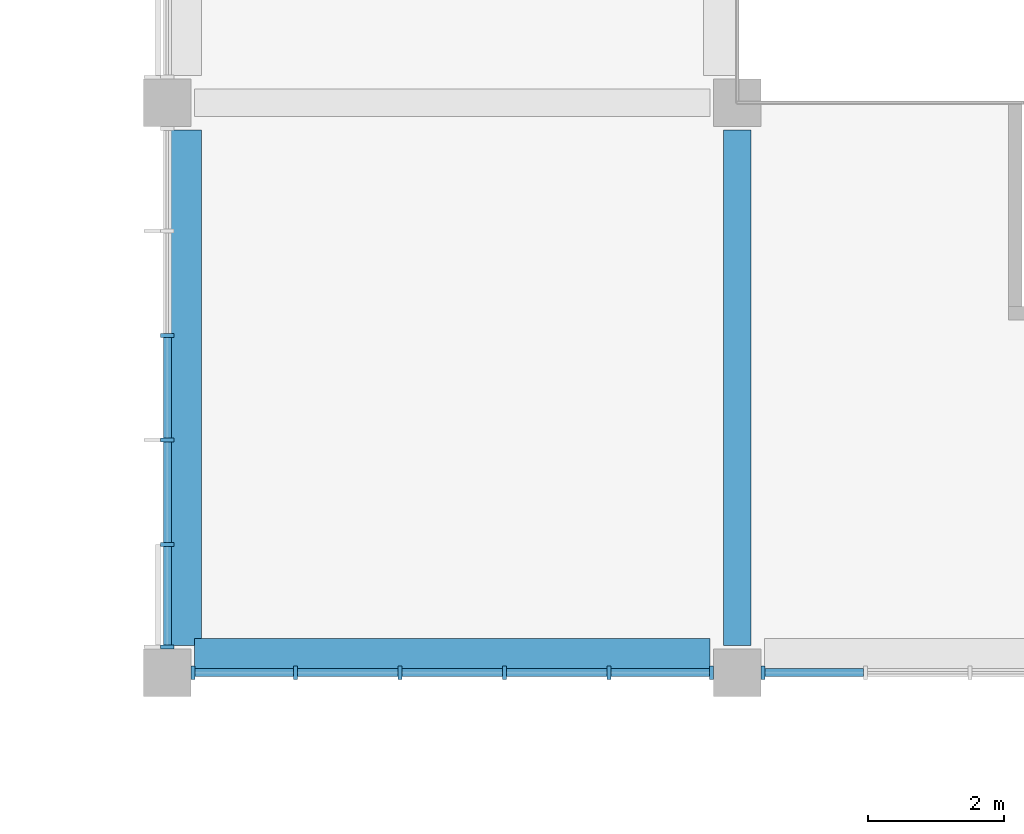
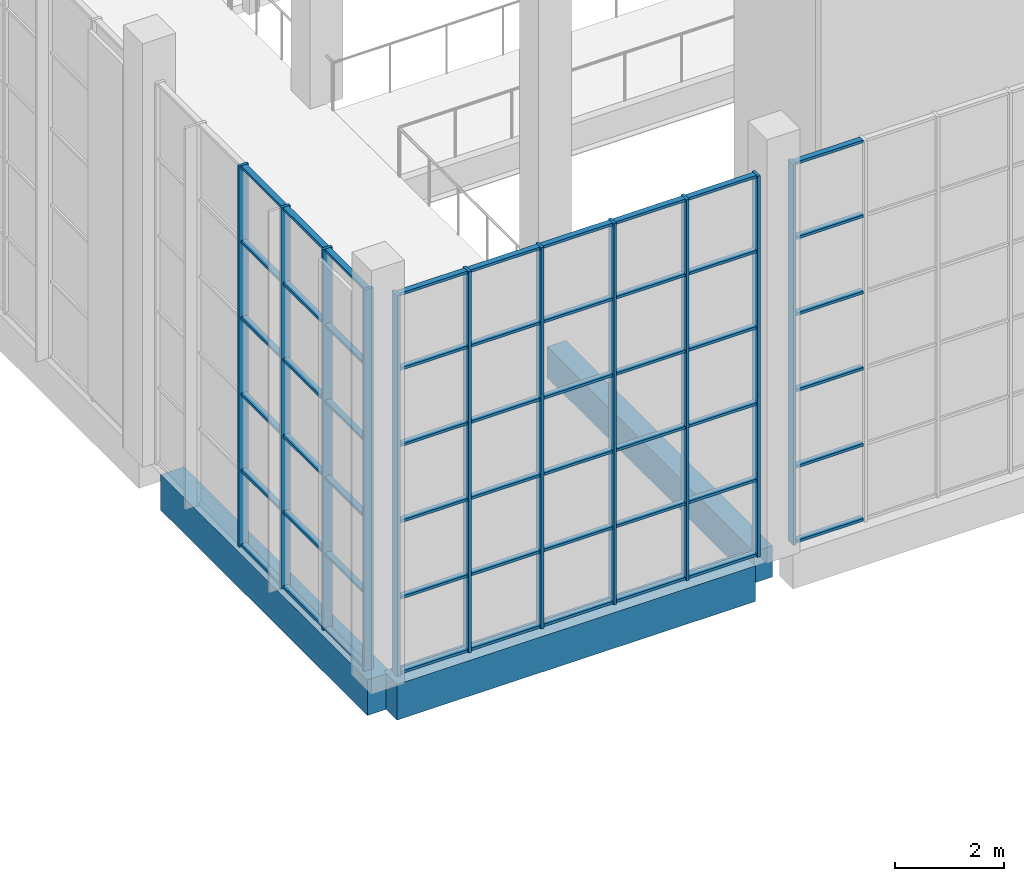
# One storey, part 19 of 114: 65 members, 3 beams, 3 elements without a shape of their own.
"""IFC4 building model written with IfcOpenShell, lengths in metres."""

from ifc_helpers import new_model, si_unit, direction, frame, origin, origin_2d, place, context, subcontext, project, spatial, rectangle, extrude, material, material_profile, profile_set, type_object, element, aggregate, save


model = new_model("IFC4")

# Units and contexts
model_context = context("Model", 3, precision=1e-05, world=origin(), true_north=direction((0.0, 1.0)))
body_context = subcontext(model_context, "Body", "Model", "MODEL_VIEW")
ifc_project = project(units=[si_unit("LENGTHUNIT", "METRE"), si_unit("AREAUNIT", "SQUARE_METRE"), si_unit("VOLUMEUNIT", "CUBIC_METRE"), si_unit("PLANEANGLEUNIT", "RADIAN"), si_unit("MASSUNIT", "GRAM", prefix="KILO")], contexts=[model_context])

# Site, building, storey
site_placement = place(None, origin())
site = spatial("IfcSite", under=ifc_project, at=site_placement, CompositionType="ELEMENT")
building_placement = place(site_placement, origin())
building = spatial("IfcBuilding", under=site, at=building_placement, Name="Almond Square Museum", CompositionType="ELEMENT")
storey_placement = place(building_placement, frame((0.0, 0.0, 10.5)))
storey = spatial("IfcBuildingStorey", under=building, at=storey_placement, Name="L02", CompositionType="ELEMENT", Elevation=10.5)

# Curtain wall, members
ifc_material_1 = material(Name="Aluminium and laminated glass", Category="aluminium")
curtain_wall_type = type_object("IfcCurtainWallType", Name="Unitised curtain wall 1500 module", PredefinedType="NOTDEFINED", material=ifc_material_1)
curtain_wall_1_placement = place(storey_placement, origin())
curtain_wall_1 = element("IfcCurtainWall", 1, at=curtain_wall_1_placement, inside=storey, type_object=curtain_wall_type, Name="Curtain wall CW-27", PredefinedType="NOTDEFINED")
ifc_material_2 = material(Name="Anodised aluminium", Category="aluminium")
ifc_material_profile_1 = material_profile(ifc_material_2, rectangle(XDim=0.199951171875, YDim=0.06005859375, at=origin_2d()))
ifc_profile_set_1 = profile_set([ifc_material_profile_1], Name="Anodised aluminium")
member_type_1 = type_object("IfcMemberType", Name="Aluminium mullion 60 x 200", PredefinedType="MULLION", material=ifc_profile_set_1)
member_1_placement = place(storey_placement, frame((73.199951171875, 67.580078125, 0.0), z_axis=(0.0, 0.0, 1.0), x_axis=(-1.0, 0.0, 0.0)))
member_1 = element("IfcMember", 2, at=member_1_placement, type_object=member_type_1, Name="CW-27 mullion 1", PredefinedType="MULLION", context=body_context, shape_type="SweptSolid", body=[
    extrude(rectangle(XDim=0.199951171875, YDim=0.06005859375, at=origin_2d()), origin(), (0.0, 0.0, 1.0), 8.550048828125),
])
member_2_placement = place(storey_placement, frame((73.199951171875, 69.090087890625, 0.0), z_axis=(0.0, 0.0, 1.0), x_axis=(-1.0, 0.0, 0.0)))
member_2 = element("IfcMember", 3, at=member_2_placement, type_object=member_type_1, Name="CW-27 mullion 2", PredefinedType="MULLION", context=body_context, shape_type="SweptSolid", body=[
    extrude(rectangle(XDim=0.199951171875, YDim=0.06005859375, at=origin_2d()), origin(), (0.0, 0.0, 1.0), 8.550048828125),
])
member_3_placement = place(storey_placement, frame((73.199951171875, 70.6298828125, 0.0), z_axis=(0.0, 0.0, 1.0), x_axis=(-1.0, 0.0, 0.0)))
member_3 = element("IfcMember", 4, at=member_3_placement, type_object=member_type_1, Name="CW-27 mullion 3", PredefinedType="MULLION", context=body_context, shape_type="SweptSolid", body=[
    extrude(rectangle(XDim=0.199951171875, YDim=0.06005859375, at=origin_2d()), origin(), (0.0, 0.0, 1.0), 8.550048828125),
])
member_4_placement = place(storey_placement, frame((73.199951171875, 72.169921875, 0.0), z_axis=(0.0, 0.0, 1.0), x_axis=(-1.0, 0.0, 0.0)))
member_4 = element("IfcMember", 5, at=member_4_placement, type_object=member_type_1, Name="CW-27 mullion 4", PredefinedType="MULLION", context=body_context, shape_type="SweptSolid", body=[
    extrude(rectangle(XDim=0.199951171875, YDim=0.06005859375, at=origin_2d()), origin(), (0.0, 0.0, 1.0), 8.550048828125),
])

curtain_wall_2_placement = place(storey_placement, origin())
curtain_wall_2 = element("IfcCurtainWall", 6, at=curtain_wall_2_placement, inside=storey, type_object=curtain_wall_type, Name="Curtain wall CW-28", PredefinedType="NOTDEFINED")
member_5_placement = place(storey_placement, frame((73.580078125, 67.199951171875, 0.0), z_axis=(0.0, 0.0, 1.0), x_axis=(0.0, 1.0, 0.0)))
member_5 = element("IfcMember", 7, at=member_5_placement, type_object=member_type_1, Name="CW-28 mullion 1", PredefinedType="MULLION", context=body_context, shape_type="SweptSolid", body=[
    extrude(rectangle(XDim=0.199951171875, YDim=0.06005859375, at=origin_2d()), origin(), (0.0, 0.0, 1.0), 8.550048828125),
])
member_6_placement = place(storey_placement, frame((75.090087890625, 67.199951171875, 0.0), z_axis=(0.0, 0.0, 1.0), x_axis=(0.0, 1.0, 0.0)))
member_6 = element("IfcMember", 8, at=member_6_placement, type_object=member_type_1, Name="CW-28 mullion 2", PredefinedType="MULLION", context=body_context, shape_type="SweptSolid", body=[
    extrude(rectangle(XDim=0.199951171875, YDim=0.06005859375, at=origin_2d()), origin(), (0.0, 0.0, 1.0), 8.550048828125),
])
member_7_placement = place(storey_placement, frame((76.6298828125, 67.199951171875, 0.0), z_axis=(0.0, 0.0, 1.0), x_axis=(0.0, 1.0, 0.0)))
member_7 = element("IfcMember", 9, at=member_7_placement, type_object=member_type_1, Name="CW-28 mullion 3", PredefinedType="MULLION", context=body_context, shape_type="SweptSolid", body=[
    extrude(rectangle(XDim=0.199951171875, YDim=0.06005859375, at=origin_2d()), origin(), (0.0, 0.0, 1.0), 8.550048828125),
])
member_8_placement = place(storey_placement, frame((78.169921875, 67.199951171875, 0.0), z_axis=(0.0, 0.0, 1.0), x_axis=(0.0, 1.0, 0.0)))
member_8 = element("IfcMember", 10, at=member_8_placement, type_object=member_type_1, Name="CW-28 mullion 4", PredefinedType="MULLION", context=body_context, shape_type="SweptSolid", body=[
    extrude(rectangle(XDim=0.199951171875, YDim=0.06005859375, at=origin_2d()), origin(), (0.0, 0.0, 1.0), 8.550048828125),
])
member_9_placement = place(storey_placement, frame((79.7099609375, 67.199951171875, 0.0), z_axis=(0.0, 0.0, 1.0), x_axis=(0.0, 1.0, 0.0)))
member_9 = element("IfcMember", 11, at=member_9_placement, type_object=member_type_1, Name="CW-28 mullion 5", PredefinedType="MULLION", context=body_context, shape_type="SweptSolid", body=[
    extrude(rectangle(XDim=0.199951171875, YDim=0.06005859375, at=origin_2d()), origin(), (0.0, 0.0, 1.0), 8.550048828125),
])
member_10_placement = place(storey_placement, frame((81.219970703125, 67.199951171875, 0.0), z_axis=(0.0, 0.0, 1.0), x_axis=(0.0, 1.0, 0.0)))
member_10 = element("IfcMember", 12, at=member_10_placement, type_object=member_type_1, Name="CW-28 mullion 6", PredefinedType="MULLION", context=body_context, shape_type="SweptSolid", body=[
    extrude(rectangle(XDim=0.199951171875, YDim=0.06005859375, at=origin_2d()), origin(), (0.0, 0.0, 1.0), 8.550048828125),
])

# Curtain wall, member
curtain_wall_3_placement = place(storey_placement, origin())
curtain_wall_3 = element("IfcCurtainWall", 13, at=curtain_wall_3_placement, inside=storey, type_object=curtain_wall_type, Name="Curtain wall CW-29", PredefinedType="NOTDEFINED")
member_11_placement = place(storey_placement, frame((81.97998046875, 67.199951171875, 0.0), z_axis=(0.0, 0.0, 1.0), x_axis=(0.0, 1.0, 0.0)))
member_11 = element("IfcMember", 14, at=member_11_placement, type_object=member_type_1, Name="CW-29 mullion 1", PredefinedType="MULLION", context=body_context, shape_type="SweptSolid", body=[
    extrude(rectangle(XDim=0.199951171875, YDim=0.06005859375, at=origin_2d()), origin(), (0.0, 0.0, 1.0), 8.550048828125),
])

# Member
ifc_material_3 = material(Name="Anodised aluminium", Category="aluminium")
ifc_material_profile_2 = material_profile(ifc_material_3, rectangle(XDim=0.1201171875, YDim=0.06005859375, at=origin_2d()))
ifc_profile_set_2 = profile_set([ifc_material_profile_2], Name="Anodised aluminium")
member_type_2 = type_object("IfcMemberType", Name="Aluminium transom 60 x 120", PredefinedType="USERDEFINED", material=ifc_profile_set_2)
member_12_placement = place(storey_placement, frame((73.199951171875, 67.610107421875, 0.030029296875), z_axis=(0.0, 1.0, 0.0), x_axis=(-1.0, 0.0, 0.0)))
member_12 = element("IfcMember", 15, at=member_12_placement, type_object=member_type_2, Name="CW-27 transom 1.1", ObjectType="TRANSOM", PredefinedType="USERDEFINED", context=body_context, shape_type="SweptSolid", body=[
    extrude(rectangle(XDim=0.1201171875, YDim=0.06005859375, at=origin_2d()), origin(), (0.0, 0.0, 1.0), 1.449951171875),
])

member_13_placement = place(storey_placement, frame((73.199951171875, 67.610107421875, 1.7099609375), z_axis=(0.0, 1.0, 0.0), x_axis=(-1.0, 0.0, 0.0)))
member_13 = element("IfcMember", 16, at=member_13_placement, type_object=member_type_2, Name="CW-27 transom 1.2", ObjectType="TRANSOM", PredefinedType="USERDEFINED", context=body_context, shape_type="SweptSolid", body=[
    extrude(rectangle(XDim=0.1201171875, YDim=0.06005859375, at=origin_2d()), origin(), (0.0, 0.0, 1.0), 1.449951171875),
])

member_14_placement = place(storey_placement, frame((73.199951171875, 67.610107421875, 3.419921875), z_axis=(0.0, 1.0, 0.0), x_axis=(-1.0, 0.0, 0.0)))
member_14 = element("IfcMember", 17, at=member_14_placement, type_object=member_type_2, Name="CW-27 transom 1.3", ObjectType="TRANSOM", PredefinedType="USERDEFINED", context=body_context, shape_type="SweptSolid", body=[
    extrude(rectangle(XDim=0.1201171875, YDim=0.06005859375, at=origin_2d()), origin(), (0.0, 0.0, 1.0), 1.449951171875),
])

member_15_placement = place(storey_placement, frame((73.199951171875, 67.610107421875, 5.1298828125), z_axis=(0.0, 1.0, 0.0), x_axis=(-1.0, 0.0, 0.0)))
member_15 = element("IfcMember", 18, at=member_15_placement, type_object=member_type_2, Name="CW-27 transom 1.4", ObjectType="TRANSOM", PredefinedType="USERDEFINED", context=body_context, shape_type="SweptSolid", body=[
    extrude(rectangle(XDim=0.1201171875, YDim=0.06005859375, at=origin_2d()), origin(), (0.0, 0.0, 1.0), 1.449951171875),
])

member_16_placement = place(storey_placement, frame((73.199951171875, 67.610107421875, 6.840087890625), z_axis=(0.0, 1.0, 0.0), x_axis=(-1.0, 0.0, 0.0)))
member_16 = element("IfcMember", 19, at=member_16_placement, type_object=member_type_2, Name="CW-27 transom 1.5", ObjectType="TRANSOM", PredefinedType="USERDEFINED", context=body_context, shape_type="SweptSolid", body=[
    extrude(rectangle(XDim=0.1201171875, YDim=0.06005859375, at=origin_2d()), origin(), (0.0, 0.0, 1.0), 1.449951171875),
])

member_17_placement = place(storey_placement, frame((73.199951171875, 67.610107421875, 8.52001953125), z_axis=(0.0, 1.0, 0.0), x_axis=(-1.0, 0.0, 0.0)))
member_17 = element("IfcMember", 20, at=member_17_placement, type_object=member_type_2, Name="CW-27 transom 1.6", ObjectType="TRANSOM", PredefinedType="USERDEFINED", context=body_context, shape_type="SweptSolid", body=[
    extrude(rectangle(XDim=0.1201171875, YDim=0.06005859375, at=origin_2d()), origin(), (0.0, 0.0, 1.0), 1.449951171875),
])

member_18_placement = place(storey_placement, frame((73.199951171875, 69.1201171875, 0.030029296875), z_axis=(0.0, 1.0, 0.0), x_axis=(-1.0, 0.0, 0.0)))
member_18 = element("IfcMember", 21, at=member_18_placement, type_object=member_type_2, Name="CW-27 transom 2.1", ObjectType="TRANSOM", PredefinedType="USERDEFINED", context=body_context, shape_type="SweptSolid", body=[
    extrude(rectangle(XDim=0.1201171875, YDim=0.06005859375, at=origin_2d()), origin(), (0.0, 0.0, 1.0), 1.47998046875),
])

member_19_placement = place(storey_placement, frame((73.199951171875, 69.1201171875, 1.7099609375), z_axis=(0.0, 1.0, 0.0), x_axis=(-1.0, 0.0, 0.0)))
member_19 = element("IfcMember", 22, at=member_19_placement, type_object=member_type_2, Name="CW-27 transom 2.2", ObjectType="TRANSOM", PredefinedType="USERDEFINED", context=body_context, shape_type="SweptSolid", body=[
    extrude(rectangle(XDim=0.1201171875, YDim=0.06005859375, at=origin_2d()), origin(), (0.0, 0.0, 1.0), 1.47998046875),
])

member_20_placement = place(storey_placement, frame((73.199951171875, 69.1201171875, 3.419921875), z_axis=(0.0, 1.0, 0.0), x_axis=(-1.0, 0.0, 0.0)))
member_20 = element("IfcMember", 23, at=member_20_placement, type_object=member_type_2, Name="CW-27 transom 2.3", ObjectType="TRANSOM", PredefinedType="USERDEFINED", context=body_context, shape_type="SweptSolid", body=[
    extrude(rectangle(XDim=0.1201171875, YDim=0.06005859375, at=origin_2d()), origin(), (0.0, 0.0, 1.0), 1.47998046875),
])

member_21_placement = place(storey_placement, frame((73.199951171875, 69.1201171875, 5.1298828125), z_axis=(0.0, 1.0, 0.0), x_axis=(-1.0, 0.0, 0.0)))
member_21 = element("IfcMember", 24, at=member_21_placement, type_object=member_type_2, Name="CW-27 transom 2.4", ObjectType="TRANSOM", PredefinedType="USERDEFINED", context=body_context, shape_type="SweptSolid", body=[
    extrude(rectangle(XDim=0.1201171875, YDim=0.06005859375, at=origin_2d()), origin(), (0.0, 0.0, 1.0), 1.47998046875),
])

member_22_placement = place(storey_placement, frame((73.199951171875, 69.1201171875, 6.840087890625), z_axis=(0.0, 1.0, 0.0), x_axis=(-1.0, 0.0, 0.0)))
member_22 = element("IfcMember", 25, at=member_22_placement, type_object=member_type_2, Name="CW-27 transom 2.5", ObjectType="TRANSOM", PredefinedType="USERDEFINED", context=body_context, shape_type="SweptSolid", body=[
    extrude(rectangle(XDim=0.1201171875, YDim=0.06005859375, at=origin_2d()), origin(), (0.0, 0.0, 1.0), 1.47998046875),
])

member_23_placement = place(storey_placement, frame((73.199951171875, 69.1201171875, 8.52001953125), z_axis=(0.0, 1.0, 0.0), x_axis=(-1.0, 0.0, 0.0)))
member_23 = element("IfcMember", 26, at=member_23_placement, type_object=member_type_2, Name="CW-27 transom 2.6", ObjectType="TRANSOM", PredefinedType="USERDEFINED", context=body_context, shape_type="SweptSolid", body=[
    extrude(rectangle(XDim=0.1201171875, YDim=0.06005859375, at=origin_2d()), origin(), (0.0, 0.0, 1.0), 1.47998046875),
])

member_24_placement = place(storey_placement, frame((73.199951171875, 70.659912109375, 0.030029296875), z_axis=(0.0, 1.0, 0.0), x_axis=(-1.0, 0.0, 0.0)))
member_24 = element("IfcMember", 27, at=member_24_placement, type_object=member_type_2, Name="CW-27 transom 3.1", ObjectType="TRANSOM", PredefinedType="USERDEFINED", context=body_context, shape_type="SweptSolid", body=[
    extrude(rectangle(XDim=0.1201171875, YDim=0.06005859375, at=origin_2d()), origin(), (0.0, 0.0, 1.0), 1.47998046875),
])

member_25_placement = place(storey_placement, frame((73.199951171875, 70.659912109375, 1.7099609375), z_axis=(0.0, 1.0, 0.0), x_axis=(-1.0, 0.0, 0.0)))
member_25 = element("IfcMember", 28, at=member_25_placement, type_object=member_type_2, Name="CW-27 transom 3.2", ObjectType="TRANSOM", PredefinedType="USERDEFINED", context=body_context, shape_type="SweptSolid", body=[
    extrude(rectangle(XDim=0.1201171875, YDim=0.06005859375, at=origin_2d()), origin(), (0.0, 0.0, 1.0), 1.47998046875),
])

member_26_placement = place(storey_placement, frame((73.199951171875, 70.659912109375, 3.419921875), z_axis=(0.0, 1.0, 0.0), x_axis=(-1.0, 0.0, 0.0)))
member_26 = element("IfcMember", 29, at=member_26_placement, type_object=member_type_2, Name="CW-27 transom 3.3", ObjectType="TRANSOM", PredefinedType="USERDEFINED", context=body_context, shape_type="SweptSolid", body=[
    extrude(rectangle(XDim=0.1201171875, YDim=0.06005859375, at=origin_2d()), origin(), (0.0, 0.0, 1.0), 1.47998046875),
])

member_27_placement = place(storey_placement, frame((73.199951171875, 70.659912109375, 5.1298828125), z_axis=(0.0, 1.0, 0.0), x_axis=(-1.0, 0.0, 0.0)))
member_27 = element("IfcMember", 30, at=member_27_placement, type_object=member_type_2, Name="CW-27 transom 3.4", ObjectType="TRANSOM", PredefinedType="USERDEFINED", context=body_context, shape_type="SweptSolid", body=[
    extrude(rectangle(XDim=0.1201171875, YDim=0.06005859375, at=origin_2d()), origin(), (0.0, 0.0, 1.0), 1.47998046875),
])

member_28_placement = place(storey_placement, frame((73.199951171875, 70.659912109375, 6.840087890625), z_axis=(0.0, 1.0, 0.0), x_axis=(-1.0, 0.0, 0.0)))
member_28 = element("IfcMember", 31, at=member_28_placement, type_object=member_type_2, Name="CW-27 transom 3.5", ObjectType="TRANSOM", PredefinedType="USERDEFINED", context=body_context, shape_type="SweptSolid", body=[
    extrude(rectangle(XDim=0.1201171875, YDim=0.06005859375, at=origin_2d()), origin(), (0.0, 0.0, 1.0), 1.47998046875),
])

member_29_placement = place(storey_placement, frame((73.199951171875, 70.659912109375, 8.52001953125), z_axis=(0.0, 1.0, 0.0), x_axis=(-1.0, 0.0, 0.0)))
member_29 = element("IfcMember", 32, at=member_29_placement, type_object=member_type_2, Name="CW-27 transom 3.6", ObjectType="TRANSOM", PredefinedType="USERDEFINED", context=body_context, shape_type="SweptSolid", body=[
    extrude(rectangle(XDim=0.1201171875, YDim=0.06005859375, at=origin_2d()), origin(), (0.0, 0.0, 1.0), 1.47998046875),
])

aggregate(curtain_wall_1, [member_1, member_2, member_3, member_4, member_12, member_13, member_14, member_15, member_16, member_17, member_18, member_19, member_20, member_21, member_22, member_23, member_24, member_25, member_26, member_27, member_28, member_29])

member_30_placement = place(storey_placement, frame((73.610107421875, 67.199951171875, 0.030029296875), z_axis=(1.0, 0.0, 0.0), x_axis=(0.0, 1.0, 0.0)))
member_30 = element("IfcMember", 33, at=member_30_placement, type_object=member_type_2, Name="CW-28 transom 1.1", ObjectType="TRANSOM", PredefinedType="USERDEFINED", context=body_context, shape_type="SweptSolid", body=[
    extrude(rectangle(XDim=0.1201171875, YDim=0.06005859375, at=origin_2d()), origin(), (0.0, 0.0, 1.0), 1.449951171875),
])

member_31_placement = place(storey_placement, frame((73.610107421875, 67.199951171875, 1.7099609375), z_axis=(1.0, 0.0, 0.0), x_axis=(0.0, 1.0, 0.0)))
member_31 = element("IfcMember", 34, at=member_31_placement, type_object=member_type_2, Name="CW-28 transom 1.2", ObjectType="TRANSOM", PredefinedType="USERDEFINED", context=body_context, shape_type="SweptSolid", body=[
    extrude(rectangle(XDim=0.1201171875, YDim=0.06005859375, at=origin_2d()), origin(), (0.0, 0.0, 1.0), 1.449951171875),
])

member_32_placement = place(storey_placement, frame((73.610107421875, 67.199951171875, 3.419921875), z_axis=(1.0, 0.0, 0.0), x_axis=(0.0, 1.0, 0.0)))
member_32 = element("IfcMember", 35, at=member_32_placement, type_object=member_type_2, Name="CW-28 transom 1.3", ObjectType="TRANSOM", PredefinedType="USERDEFINED", context=body_context, shape_type="SweptSolid", body=[
    extrude(rectangle(XDim=0.1201171875, YDim=0.06005859375, at=origin_2d()), origin(), (0.0, 0.0, 1.0), 1.449951171875),
])

member_33_placement = place(storey_placement, frame((73.610107421875, 67.199951171875, 5.1298828125), z_axis=(1.0, 0.0, 0.0), x_axis=(0.0, 1.0, 0.0)))
member_33 = element("IfcMember", 36, at=member_33_placement, type_object=member_type_2, Name="CW-28 transom 1.4", ObjectType="TRANSOM", PredefinedType="USERDEFINED", context=body_context, shape_type="SweptSolid", body=[
    extrude(rectangle(XDim=0.1201171875, YDim=0.06005859375, at=origin_2d()), origin(), (0.0, 0.0, 1.0), 1.449951171875),
])

member_34_placement = place(storey_placement, frame((73.610107421875, 67.199951171875, 6.840087890625), z_axis=(1.0, 0.0, 0.0), x_axis=(0.0, 1.0, 0.0)))
member_34 = element("IfcMember", 37, at=member_34_placement, type_object=member_type_2, Name="CW-28 transom 1.5", ObjectType="TRANSOM", PredefinedType="USERDEFINED", context=body_context, shape_type="SweptSolid", body=[
    extrude(rectangle(XDim=0.1201171875, YDim=0.06005859375, at=origin_2d()), origin(), (0.0, 0.0, 1.0), 1.449951171875),
])

member_35_placement = place(storey_placement, frame((73.610107421875, 67.199951171875, 8.52001953125), z_axis=(1.0, 0.0, 0.0), x_axis=(0.0, 1.0, 0.0)))
member_35 = element("IfcMember", 38, at=member_35_placement, type_object=member_type_2, Name="CW-28 transom 1.6", ObjectType="TRANSOM", PredefinedType="USERDEFINED", context=body_context, shape_type="SweptSolid", body=[
    extrude(rectangle(XDim=0.1201171875, YDim=0.06005859375, at=origin_2d()), origin(), (0.0, 0.0, 1.0), 1.449951171875),
])

member_36_placement = place(storey_placement, frame((75.1201171875, 67.199951171875, 0.030029296875), z_axis=(1.0, 0.0, 0.0), x_axis=(0.0, 1.0, 0.0)))
member_36 = element("IfcMember", 39, at=member_36_placement, type_object=member_type_2, Name="CW-28 transom 2.1", ObjectType="TRANSOM", PredefinedType="USERDEFINED", context=body_context, shape_type="SweptSolid", body=[
    extrude(rectangle(XDim=0.1201171875, YDim=0.06005859375, at=origin_2d()), origin(), (0.0, 0.0, 1.0), 1.47998046875),
])

member_37_placement = place(storey_placement, frame((75.1201171875, 67.199951171875, 1.7099609375), z_axis=(1.0, 0.0, 0.0), x_axis=(0.0, 1.0, 0.0)))
member_37 = element("IfcMember", 40, at=member_37_placement, type_object=member_type_2, Name="CW-28 transom 2.2", ObjectType="TRANSOM", PredefinedType="USERDEFINED", context=body_context, shape_type="SweptSolid", body=[
    extrude(rectangle(XDim=0.1201171875, YDim=0.06005859375, at=origin_2d()), origin(), (0.0, 0.0, 1.0), 1.47998046875),
])

member_38_placement = place(storey_placement, frame((75.1201171875, 67.199951171875, 3.419921875), z_axis=(1.0, 0.0, 0.0), x_axis=(0.0, 1.0, 0.0)))
member_38 = element("IfcMember", 41, at=member_38_placement, type_object=member_type_2, Name="CW-28 transom 2.3", ObjectType="TRANSOM", PredefinedType="USERDEFINED", context=body_context, shape_type="SweptSolid", body=[
    extrude(rectangle(XDim=0.1201171875, YDim=0.06005859375, at=origin_2d()), origin(), (0.0, 0.0, 1.0), 1.47998046875),
])

member_39_placement = place(storey_placement, frame((75.1201171875, 67.199951171875, 5.1298828125), z_axis=(1.0, 0.0, 0.0), x_axis=(0.0, 1.0, 0.0)))
member_39 = element("IfcMember", 42, at=member_39_placement, type_object=member_type_2, Name="CW-28 transom 2.4", ObjectType="TRANSOM", PredefinedType="USERDEFINED", context=body_context, shape_type="SweptSolid", body=[
    extrude(rectangle(XDim=0.1201171875, YDim=0.06005859375, at=origin_2d()), origin(), (0.0, 0.0, 1.0), 1.47998046875),
])

member_40_placement = place(storey_placement, frame((75.1201171875, 67.199951171875, 6.840087890625), z_axis=(1.0, 0.0, 0.0), x_axis=(0.0, 1.0, 0.0)))
member_40 = element("IfcMember", 43, at=member_40_placement, type_object=member_type_2, Name="CW-28 transom 2.5", ObjectType="TRANSOM", PredefinedType="USERDEFINED", context=body_context, shape_type="SweptSolid", body=[
    extrude(rectangle(XDim=0.1201171875, YDim=0.06005859375, at=origin_2d()), origin(), (0.0, 0.0, 1.0), 1.47998046875),
])

member_41_placement = place(storey_placement, frame((75.1201171875, 67.199951171875, 8.52001953125), z_axis=(1.0, 0.0, 0.0), x_axis=(0.0, 1.0, 0.0)))
member_41 = element("IfcMember", 44, at=member_41_placement, type_object=member_type_2, Name="CW-28 transom 2.6", ObjectType="TRANSOM", PredefinedType="USERDEFINED", context=body_context, shape_type="SweptSolid", body=[
    extrude(rectangle(XDim=0.1201171875, YDim=0.06005859375, at=origin_2d()), origin(), (0.0, 0.0, 1.0), 1.47998046875),
])

member_42_placement = place(storey_placement, frame((76.659912109375, 67.199951171875, 0.030029296875), z_axis=(1.0, 0.0, 0.0), x_axis=(0.0, 1.0, 0.0)))
member_42 = element("IfcMember", 45, at=member_42_placement, type_object=member_type_2, Name="CW-28 transom 3.1", ObjectType="TRANSOM", PredefinedType="USERDEFINED", context=body_context, shape_type="SweptSolid", body=[
    extrude(rectangle(XDim=0.1201171875, YDim=0.06005859375, at=origin_2d()), origin(), (0.0, 0.0, 1.0), 1.47998046875),
])

member_43_placement = place(storey_placement, frame((76.659912109375, 67.199951171875, 1.7099609375), z_axis=(1.0, 0.0, 0.0), x_axis=(0.0, 1.0, 0.0)))
member_43 = element("IfcMember", 46, at=member_43_placement, type_object=member_type_2, Name="CW-28 transom 3.2", ObjectType="TRANSOM", PredefinedType="USERDEFINED", context=body_context, shape_type="SweptSolid", body=[
    extrude(rectangle(XDim=0.1201171875, YDim=0.06005859375, at=origin_2d()), origin(), (0.0, 0.0, 1.0), 1.47998046875),
])

member_44_placement = place(storey_placement, frame((76.659912109375, 67.199951171875, 3.419921875), z_axis=(1.0, 0.0, 0.0), x_axis=(0.0, 1.0, 0.0)))
member_44 = element("IfcMember", 47, at=member_44_placement, type_object=member_type_2, Name="CW-28 transom 3.3", ObjectType="TRANSOM", PredefinedType="USERDEFINED", context=body_context, shape_type="SweptSolid", body=[
    extrude(rectangle(XDim=0.1201171875, YDim=0.06005859375, at=origin_2d()), origin(), (0.0, 0.0, 1.0), 1.47998046875),
])

member_45_placement = place(storey_placement, frame((76.659912109375, 67.199951171875, 5.1298828125), z_axis=(1.0, 0.0, 0.0), x_axis=(0.0, 1.0, 0.0)))
member_45 = element("IfcMember", 48, at=member_45_placement, type_object=member_type_2, Name="CW-28 transom 3.4", ObjectType="TRANSOM", PredefinedType="USERDEFINED", context=body_context, shape_type="SweptSolid", body=[
    extrude(rectangle(XDim=0.1201171875, YDim=0.06005859375, at=origin_2d()), origin(), (0.0, 0.0, 1.0), 1.47998046875),
])

member_46_placement = place(storey_placement, frame((76.659912109375, 67.199951171875, 6.840087890625), z_axis=(1.0, 0.0, 0.0), x_axis=(0.0, 1.0, 0.0)))
member_46 = element("IfcMember", 49, at=member_46_placement, type_object=member_type_2, Name="CW-28 transom 3.5", ObjectType="TRANSOM", PredefinedType="USERDEFINED", context=body_context, shape_type="SweptSolid", body=[
    extrude(rectangle(XDim=0.1201171875, YDim=0.06005859375, at=origin_2d()), origin(), (0.0, 0.0, 1.0), 1.47998046875),
])

member_47_placement = place(storey_placement, frame((76.659912109375, 67.199951171875, 8.52001953125), z_axis=(1.0, 0.0, 0.0), x_axis=(0.0, 1.0, 0.0)))
member_47 = element("IfcMember", 50, at=member_47_placement, type_object=member_type_2, Name="CW-28 transom 3.6", ObjectType="TRANSOM", PredefinedType="USERDEFINED", context=body_context, shape_type="SweptSolid", body=[
    extrude(rectangle(XDim=0.1201171875, YDim=0.06005859375, at=origin_2d()), origin(), (0.0, 0.0, 1.0), 1.47998046875),
])

member_48_placement = place(storey_placement, frame((78.199951171875, 67.199951171875, 0.030029296875), z_axis=(1.0, 0.0, 0.0), x_axis=(0.0, 1.0, 0.0)))
member_48 = element("IfcMember", 51, at=member_48_placement, type_object=member_type_2, Name="CW-28 transom 4.1", ObjectType="TRANSOM", PredefinedType="USERDEFINED", context=body_context, shape_type="SweptSolid", body=[
    extrude(rectangle(XDim=0.1201171875, YDim=0.06005859375, at=origin_2d()), origin(), (0.0, 0.0, 1.0), 1.47998046875),
])

member_49_placement = place(storey_placement, frame((78.199951171875, 67.199951171875, 1.7099609375), z_axis=(1.0, 0.0, 0.0), x_axis=(0.0, 1.0, 0.0)))
member_49 = element("IfcMember", 52, at=member_49_placement, type_object=member_type_2, Name="CW-28 transom 4.2", ObjectType="TRANSOM", PredefinedType="USERDEFINED", context=body_context, shape_type="SweptSolid", body=[
    extrude(rectangle(XDim=0.1201171875, YDim=0.06005859375, at=origin_2d()), origin(), (0.0, 0.0, 1.0), 1.47998046875),
])

member_50_placement = place(storey_placement, frame((78.199951171875, 67.199951171875, 3.419921875), z_axis=(1.0, 0.0, 0.0), x_axis=(0.0, 1.0, 0.0)))
member_50 = element("IfcMember", 53, at=member_50_placement, type_object=member_type_2, Name="CW-28 transom 4.3", ObjectType="TRANSOM", PredefinedType="USERDEFINED", context=body_context, shape_type="SweptSolid", body=[
    extrude(rectangle(XDim=0.1201171875, YDim=0.06005859375, at=origin_2d()), origin(), (0.0, 0.0, 1.0), 1.47998046875),
])

member_51_placement = place(storey_placement, frame((78.199951171875, 67.199951171875, 5.1298828125), z_axis=(1.0, 0.0, 0.0), x_axis=(0.0, 1.0, 0.0)))
member_51 = element("IfcMember", 54, at=member_51_placement, type_object=member_type_2, Name="CW-28 transom 4.4", ObjectType="TRANSOM", PredefinedType="USERDEFINED", context=body_context, shape_type="SweptSolid", body=[
    extrude(rectangle(XDim=0.1201171875, YDim=0.06005859375, at=origin_2d()), origin(), (0.0, 0.0, 1.0), 1.47998046875),
])

member_52_placement = place(storey_placement, frame((78.199951171875, 67.199951171875, 6.840087890625), z_axis=(1.0, 0.0, 0.0), x_axis=(0.0, 1.0, 0.0)))
member_52 = element("IfcMember", 55, at=member_52_placement, type_object=member_type_2, Name="CW-28 transom 4.5", ObjectType="TRANSOM", PredefinedType="USERDEFINED", context=body_context, shape_type="SweptSolid", body=[
    extrude(rectangle(XDim=0.1201171875, YDim=0.06005859375, at=origin_2d()), origin(), (0.0, 0.0, 1.0), 1.47998046875),
])

member_53_placement = place(storey_placement, frame((78.199951171875, 67.199951171875, 8.52001953125), z_axis=(1.0, 0.0, 0.0), x_axis=(0.0, 1.0, 0.0)))
member_53 = element("IfcMember", 56, at=member_53_placement, type_object=member_type_2, Name="CW-28 transom 4.6", ObjectType="TRANSOM", PredefinedType="USERDEFINED", context=body_context, shape_type="SweptSolid", body=[
    extrude(rectangle(XDim=0.1201171875, YDim=0.06005859375, at=origin_2d()), origin(), (0.0, 0.0, 1.0), 1.47998046875),
])

member_54_placement = place(storey_placement, frame((79.739990234375, 67.199951171875, 0.030029296875), z_axis=(1.0, 0.0, 0.0), x_axis=(0.0, 1.0, 0.0)))
member_54 = element("IfcMember", 57, at=member_54_placement, type_object=member_type_2, Name="CW-28 transom 5.1", ObjectType="TRANSOM", PredefinedType="USERDEFINED", context=body_context, shape_type="SweptSolid", body=[
    extrude(rectangle(XDim=0.1201171875, YDim=0.06005859375, at=origin_2d()), origin(), (0.0, 0.0, 1.0), 1.449951171875),
])

member_55_placement = place(storey_placement, frame((79.739990234375, 67.199951171875, 1.7099609375), z_axis=(1.0, 0.0, 0.0), x_axis=(0.0, 1.0, 0.0)))
member_55 = element("IfcMember", 58, at=member_55_placement, type_object=member_type_2, Name="CW-28 transom 5.2", ObjectType="TRANSOM", PredefinedType="USERDEFINED", context=body_context, shape_type="SweptSolid", body=[
    extrude(rectangle(XDim=0.1201171875, YDim=0.06005859375, at=origin_2d()), origin(), (0.0, 0.0, 1.0), 1.449951171875),
])

member_56_placement = place(storey_placement, frame((79.739990234375, 67.199951171875, 3.419921875), z_axis=(1.0, 0.0, 0.0), x_axis=(0.0, 1.0, 0.0)))
member_56 = element("IfcMember", 59, at=member_56_placement, type_object=member_type_2, Name="CW-28 transom 5.3", ObjectType="TRANSOM", PredefinedType="USERDEFINED", context=body_context, shape_type="SweptSolid", body=[
    extrude(rectangle(XDim=0.1201171875, YDim=0.06005859375, at=origin_2d()), origin(), (0.0, 0.0, 1.0), 1.449951171875),
])

member_57_placement = place(storey_placement, frame((79.739990234375, 67.199951171875, 5.1298828125), z_axis=(1.0, 0.0, 0.0), x_axis=(0.0, 1.0, 0.0)))
member_57 = element("IfcMember", 60, at=member_57_placement, type_object=member_type_2, Name="CW-28 transom 5.4", ObjectType="TRANSOM", PredefinedType="USERDEFINED", context=body_context, shape_type="SweptSolid", body=[
    extrude(rectangle(XDim=0.1201171875, YDim=0.06005859375, at=origin_2d()), origin(), (0.0, 0.0, 1.0), 1.449951171875),
])

member_58_placement = place(storey_placement, frame((79.739990234375, 67.199951171875, 6.840087890625), z_axis=(1.0, 0.0, 0.0), x_axis=(0.0, 1.0, 0.0)))
member_58 = element("IfcMember", 61, at=member_58_placement, type_object=member_type_2, Name="CW-28 transom 5.5", ObjectType="TRANSOM", PredefinedType="USERDEFINED", context=body_context, shape_type="SweptSolid", body=[
    extrude(rectangle(XDim=0.1201171875, YDim=0.06005859375, at=origin_2d()), origin(), (0.0, 0.0, 1.0), 1.449951171875),
])

member_59_placement = place(storey_placement, frame((79.739990234375, 67.199951171875, 8.52001953125), z_axis=(1.0, 0.0, 0.0), x_axis=(0.0, 1.0, 0.0)))
member_59 = element("IfcMember", 62, at=member_59_placement, type_object=member_type_2, Name="CW-28 transom 5.6", ObjectType="TRANSOM", PredefinedType="USERDEFINED", context=body_context, shape_type="SweptSolid", body=[
    extrude(rectangle(XDim=0.1201171875, YDim=0.06005859375, at=origin_2d()), origin(), (0.0, 0.0, 1.0), 1.449951171875),
])

aggregate(curtain_wall_2, [member_5, member_6, member_7, member_8, member_9, member_10, member_30, member_31, member_32, member_33, member_34, member_35, member_36, member_37, member_38, member_39, member_40, member_41, member_42, member_43, member_44, member_45, member_46, member_47, member_48, member_49, member_50, member_51, member_52, member_53, member_54, member_55, member_56, member_57, member_58, member_59])

member_60_placement = place(storey_placement, frame((82.010009765625, 67.199951171875, 0.030029296875), z_axis=(1.0, 0.0, 0.0), x_axis=(0.0, 1.0, 0.0)))
member_60 = element("IfcMember", 63, at=member_60_placement, type_object=member_type_2, Name="CW-29 transom 1.1", ObjectType="TRANSOM", PredefinedType="USERDEFINED", context=body_context, shape_type="SweptSolid", body=[
    extrude(rectangle(XDim=0.1201171875, YDim=0.06005859375, at=origin_2d()), origin(), (0.0, 0.0, 1.0), 1.449951171875),
])

member_61_placement = place(storey_placement, frame((82.010009765625, 67.199951171875, 1.7099609375), z_axis=(1.0, 0.0, 0.0), x_axis=(0.0, 1.0, 0.0)))
member_61 = element("IfcMember", 64, at=member_61_placement, type_object=member_type_2, Name="CW-29 transom 1.2", ObjectType="TRANSOM", PredefinedType="USERDEFINED", context=body_context, shape_type="SweptSolid", body=[
    extrude(rectangle(XDim=0.1201171875, YDim=0.06005859375, at=origin_2d()), origin(), (0.0, 0.0, 1.0), 1.449951171875),
])

member_62_placement = place(storey_placement, frame((82.010009765625, 67.199951171875, 3.419921875), z_axis=(1.0, 0.0, 0.0), x_axis=(0.0, 1.0, 0.0)))
member_62 = element("IfcMember", 65, at=member_62_placement, type_object=member_type_2, Name="CW-29 transom 1.3", ObjectType="TRANSOM", PredefinedType="USERDEFINED", context=body_context, shape_type="SweptSolid", body=[
    extrude(rectangle(XDim=0.1201171875, YDim=0.06005859375, at=origin_2d()), origin(), (0.0, 0.0, 1.0), 1.449951171875),
])

member_63_placement = place(storey_placement, frame((82.010009765625, 67.199951171875, 5.1298828125), z_axis=(1.0, 0.0, 0.0), x_axis=(0.0, 1.0, 0.0)))
member_63 = element("IfcMember", 66, at=member_63_placement, type_object=member_type_2, Name="CW-29 transom 1.4", ObjectType="TRANSOM", PredefinedType="USERDEFINED", context=body_context, shape_type="SweptSolid", body=[
    extrude(rectangle(XDim=0.1201171875, YDim=0.06005859375, at=origin_2d()), origin(), (0.0, 0.0, 1.0), 1.449951171875),
])

member_64_placement = place(storey_placement, frame((82.010009765625, 67.199951171875, 6.840087890625), z_axis=(1.0, 0.0, 0.0), x_axis=(0.0, 1.0, 0.0)))
member_64 = element("IfcMember", 67, at=member_64_placement, type_object=member_type_2, Name="CW-29 transom 1.5", ObjectType="TRANSOM", PredefinedType="USERDEFINED", context=body_context, shape_type="SweptSolid", body=[
    extrude(rectangle(XDim=0.1201171875, YDim=0.06005859375, at=origin_2d()), origin(), (0.0, 0.0, 1.0), 1.449951171875),
])

member_65_placement = place(storey_placement, frame((82.010009765625, 67.199951171875, 8.52001953125), z_axis=(1.0, 0.0, 0.0), x_axis=(0.0, 1.0, 0.0)))
member_65 = element("IfcMember", 68, at=member_65_placement, type_object=member_type_2, Name="CW-29 transom 1.6", ObjectType="TRANSOM", PredefinedType="USERDEFINED", context=body_context, shape_type="SweptSolid", body=[
    extrude(rectangle(XDim=0.1201171875, YDim=0.06005859375, at=origin_2d()), origin(), (0.0, 0.0, 1.0), 1.449951171875),
])

aggregate(curtain_wall_3, [member_11, member_60, member_61, member_62, member_63, member_64, member_65])

# Beams
ifc_material_4 = material(Name="Concrete C40/50", Category="concrete")
ifc_material_profile_3 = material_profile(ifc_material_4, rectangle(XDim=0.39990234375, YDim=0.699951171875, at=origin_2d()))
ifc_profile_set_3 = profile_set([ifc_material_profile_3], Name="Concrete C40/50")
beam_type_1 = type_object("IfcBeamType", Name="RC beam 400 x 700 C40/50", PredefinedType="BEAM", material=ifc_profile_set_3)
beam_placement = place(storey_placement, frame((81.60009765625, 67.60009765625, -0.60009765625), z_axis=(0.0, 1.0, 0.0), x_axis=(-1.0, 0.0, 0.0)))
element("IfcBeam", 69, at=beam_placement, inside=storey, type_object=beam_type_1, Name="Beam 11 I-J L02", PredefinedType="BEAM", context=body_context, shape_type="SweptSolid", body=[
    extrude(rectangle(XDim=0.39990234375, YDim=0.699951171875, at=origin_2d()), origin(), (0.0, 0.0, 1.0), 7.599853515625),
])
ifc_material_5 = material(Name="Concrete C40/50", Category="concrete")
ifc_material_profile_4 = material_profile(ifc_material_5, rectangle(XDim=0.5, YDim=0.800048828125, at=origin_2d()))
ifc_profile_set_4 = profile_set([ifc_material_profile_4], Name="Concrete C40/50")
beam_type_2 = type_object("IfcBeamType", Name="RC edge beam 500 x 800 C40/50", PredefinedType="BEAM", material=ifc_profile_set_4)
for number, where, z_axis, x_axis, name in (
    (70, (73.60009765625, 67.449951171875, -0.64990234375), (1.0, 0.0, 0.0), (0.0, 1.0, 0.0), "Edge beam I 10-11 L02"),
    (71, (73.449951171875, 67.60009765625, -0.64990234375), (0.0, 1.0, 0.0), (-1.0, 0.0, 0.0), "Edge beam 10 I-J L02"),
):
    element("IfcBeam", number, at=place(storey_placement, frame(where, z_axis=z_axis, x_axis=x_axis)), inside=storey, type_object=beam_type_2, Name=name, PredefinedType="BEAM", context=body_context, shape_type="SweptSolid", body=[
        extrude(rectangle(XDim=0.5, YDim=0.800048828125, at=origin_2d()), origin(), (0.0, 0.0, 1.0), 7.599853515625),
    ])

save(model, "model.ifc")
